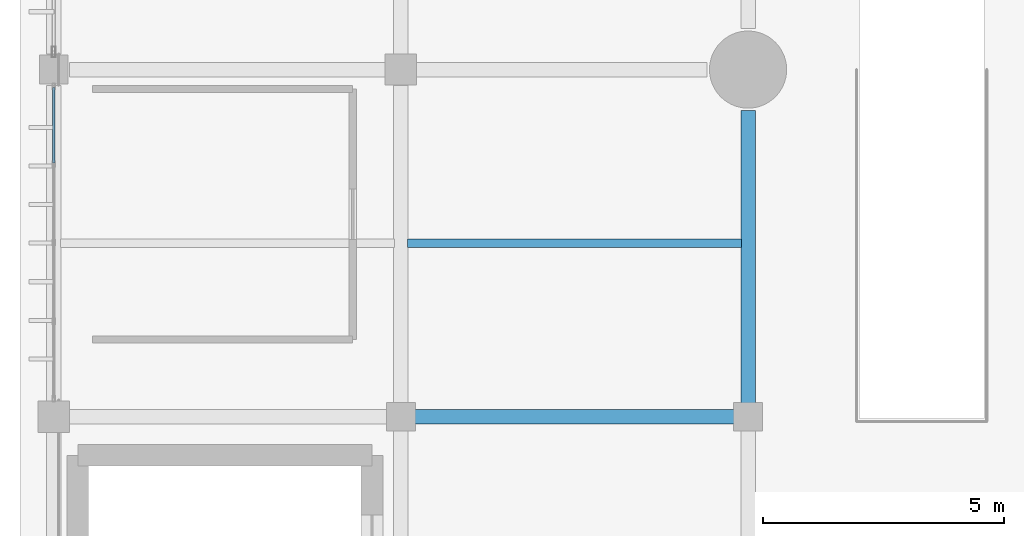
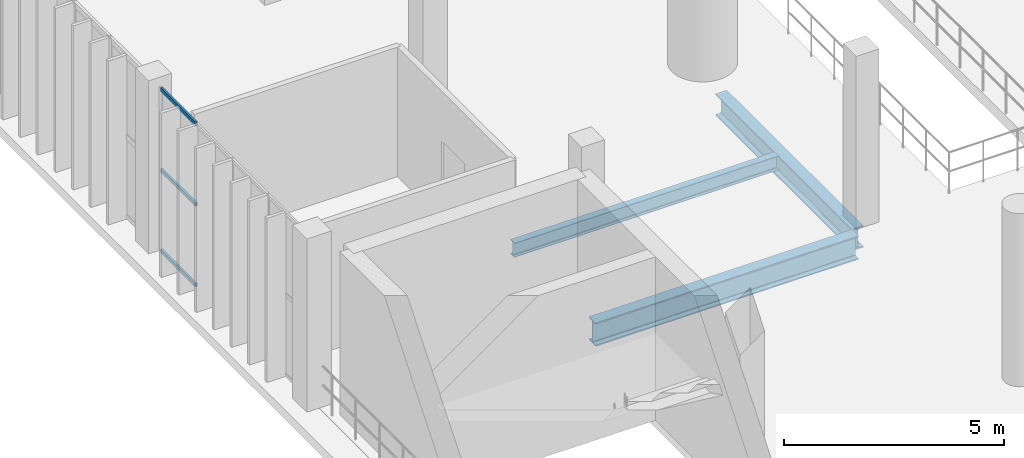
# One storey, part 16 of 105: 3 beams, 3 members, 1 element without a shape of its own.
"""IFC4 building model written with IfcOpenShell, lengths in metres."""

import ifcopenshell
import ifcopenshell.guid

model = None  # the IFC model being written
_history = None  # IfcOwnerHistory: only IFC2X3 demands one
_inside = {}  # id of a spatial element -> (the spatial element, [elements in it])
_under = {}  # id of a project, library or spatial element -> (it, [spatial elements below it])
_declared = {}  # id of a project -> (the project, [libraries it declares])
_typed = {}  # id of a type object -> (the type object, [elements of that type])
_made_of = {}  # id of a material, layer set ... -> (it, [elements and type objects made of it])


def new_model(schema):
    """Start an empty IFC model of exactly this schema.

    Asked for "IFC4X3", IfcOpenShell would pick the latest addendum, in which some entities
    have other attributes; the version numbers below select the first issue.
    IFC2X3 requires an IfcOwnerHistory on every rooted entity: one is made here for all.
    """
    global model, _history
    if schema == "IFC4X3":
        model = ifcopenshell.file(schema_version=(4, 3, 0, 0))
    else:
        model = ifcopenshell.file(schema=schema)
    _inside.clear()
    _under.clear()
    _declared.clear()
    _typed.clear()
    _made_of.clear()
    _history = None
    if model.schema == "IFC2X3":
        org = make("IfcOrganization", Name="unknown")
        user = make(
            "IfcPersonAndOrganization",
            ThePerson=make("IfcPerson", FamilyName="unknown"),
            TheOrganization=org,
        )
        app = make(
            "IfcApplication",
            ApplicationDeveloper=org,
            Version="unknown",
            ApplicationFullName="unknown",
            ApplicationIdentifier="unknown",
        )
        _history = make(
            "IfcOwnerHistory",
            OwningUser=user,
            OwningApplication=app,
            ChangeAction="ADDED",
            CreationDate=0,
        )
    return model


def make(cls, **values):
    """One entity of the class cls with the attributes given. An attribute that is None is left unset."""
    return model.create_entity(
        cls, **{name: value for name, value in values.items() if value is not None}
    )


def rooted(cls, **values):
    """An entity with a GlobalId (a new one), such as an element, a storey or a relation."""
    return make(cls, GlobalId=ifcopenshell.guid.new(), OwnerHistory=_history, **values)


def si_unit(unit_type, name, prefix=None):
    """IfcSIUnit, for example si_unit("LENGTHUNIT", "METRE", prefix="MILLI")."""
    return make("IfcSIUnit", UnitType=unit_type, Prefix=prefix, Name=name)


def assignment(units):
    """IfcUnitAssignment: the units of a project."""
    return None if units is None else make("IfcUnitAssignment", Units=units)


def point(xyz):
    """IfcCartesianPoint."""
    return None if xyz is None else make("IfcCartesianPoint", Coordinates=xyz)


def direction(xyz):
    """IfcDirection."""
    return None if xyz is None else make("IfcDirection", DirectionRatios=xyz)


def frame(location, z_axis=None, x_axis=None):
    """IfcAxis2Placement3D, a coordinate frame: its origin and axes. An axis left out is left unset."""
    return make(
        "IfcAxis2Placement3D",
        Location=point(location),
        Axis=direction(z_axis),
        RefDirection=direction(x_axis),
    )


def frame_2d(location, x_axis=None):
    """IfcAxis2Placement2D, a coordinate frame in the plane: its origin and x axis."""
    return make(
        "IfcAxis2Placement2D", Location=point(location), RefDirection=direction(x_axis)
    )


def origin():
    """The frame at (0, 0, 0) with its axes left unset."""
    return frame((0.0, 0.0, 0.0))


def origin_2d():
    """The frame at (0, 0) in the plane with its x axis left unset."""
    return frame_2d((0.0, 0.0))


def place(relative_to, where):
    """IfcLocalPlacement: puts the frame where relative to a parent placement (None: the world)."""
    return make(
        "IfcLocalPlacement", PlacementRelTo=relative_to, RelativePlacement=where
    )


def context(
    kind, dimensions, precision=None, world=None, true_north=None, identifier=None
):
    """IfcGeometricRepresentationContext, for example the 3D "Model" context."""
    return make(
        "IfcGeometricRepresentationContext",
        ContextIdentifier=identifier,
        ContextType=kind,
        CoordinateSpaceDimension=dimensions,
        Precision=precision,
        WorldCoordinateSystem=world,
        TrueNorth=true_north,
    )


def subcontext(parent, identifier, kind, view, scale=None):
    """IfcGeometricRepresentationSubContext, for example "Body" below "Model"."""
    return make(
        "IfcGeometricRepresentationSubContext",
        ContextIdentifier=identifier,
        ContextType=kind,
        ParentContext=parent,
        TargetScale=scale,
        TargetView=view,
    )


def project(units=None, contexts=None):
    """IfcProject with its units and contexts."""
    return rooted(
        "IfcProject",
        Name="project",
        RepresentationContexts=contexts,
        UnitsInContext=assignment(units),
    )


def spatial(cls, under=None, at=None, **own):
    """A site, building, storey or space (cls), placed at a placement, below another one or the project."""
    s = rooted(cls, ObjectPlacement=at, **own)
    if under is not None:
        _under.setdefault(under.id(), (under, []))[1].append(s)
    return s


def profile(cls, at=None, kind="AREA", **sizes):
    """A parametric profile (cls). Its sizes go by their IFC names, for example OverallWidth=200.0."""
    return make(cls, ProfileType=kind, Position=at, **sizes)


def hollow_rectangle(**sizes):
    """IfcRectangleHollowProfileDef."""
    return profile("IfcRectangleHollowProfileDef", **sizes)


def i_section(**sizes):
    """IfcIShapeProfileDef."""
    return profile("IfcIShapeProfileDef", **sizes)


def extrude(swept, where, along, depth):
    """IfcExtrudedAreaSolid: the profile swept, set in the frame where, extruded along a direction by depth."""
    return make(
        "IfcExtrudedAreaSolid",
        SweptArea=swept,
        Position=where,
        ExtrudedDirection=direction(along),
        Depth=depth,
    )


def shape(context_of_items, identifier, shape_type, items):
    """IfcShapeRepresentation: the items that make up one representation, for example the "Body"."""
    return make(
        "IfcShapeRepresentation",
        ContextOfItems=context_of_items,
        RepresentationIdentifier=identifier,
        RepresentationType=shape_type,
        Items=items,
    )


def material(Name=None, Category=None):
    """IfcMaterial."""
    return make("IfcMaterial", Name=Name, Category=Category)


def material_profile(
    of_material, cross_section, Name=None, Category=None, Priority=None
):
    """IfcMaterialProfile: a cross section and its material."""
    return make(
        "IfcMaterialProfile",
        Name=Name,
        Material=of_material,
        Profile=cross_section,
        Priority=Priority,
        Category=Category,
    )


def profile_set(profiles, Name=None, composite=None):
    """IfcMaterialProfileSet."""
    return make(
        "IfcMaterialProfileSet",
        Name=Name,
        MaterialProfiles=profiles,
        CompositeProfile=composite,
    )


def made_of(thing, what):
    """Note that an element or type object is made of a material, layer set ...; save() writes the relation."""
    if what is not None:
        _made_of.setdefault(what.id(), (what, []))[1].append(thing)
    return thing


def type_object(cls, material=None, **own):
    """A type object (cls), such as IfcWallType, which elements share."""
    return made_of(rooted(cls, **own), material)


def element(
    cls,
    number,
    at=None,
    inside=None,
    cuts=None,
    type_object=None,
    material=None,
    context=None,
    identifier="Body",
    shape_type=None,
    held_by="IfcProductDefinitionShape",
    body=None,
    shapes=None,
    **own,
):
    """One element of the class cls, such as IfcWall. Its Tag is "e" and its number.

    at: its placement. inside: the storey or other place that contains it. cuts: it is an
    opening in that element (IfcRelVoidsElement). A single representation is given by context,
    identifier, shape_type and body (its items); several are given by shapes. held_by: the class
    of the entity that holds the representations. save() writes the other relations.
    """
    e = rooted(cls, Tag="e%d" % number, ObjectPlacement=at, **own)
    if body is not None:
        shapes = [shape(context, identifier, shape_type, body)]
    if shapes is not None:
        e.Representation = make(held_by, Representations=shapes)
    if inside is not None:
        _inside.setdefault(inside.id(), (inside, []))[1].append(e)
    if cuts is not None:
        rooted(
            "IfcRelVoidsElement", RelatingBuildingElement=cuts, RelatedOpeningElement=e
        )
    if type_object is not None:
        _typed.setdefault(type_object.id(), (type_object, []))[1].append(e)
    return made_of(e, material)


def aggregate(whole, parts):
    """IfcRelAggregates: a whole, such as a stair, and the parts it consists of."""
    return rooted("IfcRelAggregates", RelatingObject=whole, RelatedObjects=parts)


def save(model, path):
    """Write the relations noted so far, then the file.

    IfcRelAggregates (storeys below a building ...), IfcRelContainedInSpatialStructure (elements
    in a storey), IfcRelDefinesByType, IfcRelAssociatesMaterial and IfcRelDeclares: one each for
    every whole, place, type object, material and project.
    """
    for whole, parts in _under.values():
        aggregate(whole, parts)
    for where, things in _inside.values():
        rooted(
            "IfcRelContainedInSpatialStructure",
            RelatedElements=things,
            RelatingStructure=where,
        )
    for kind, things in _typed.values():
        rooted("IfcRelDefinesByType", RelatedObjects=things, RelatingType=kind)
    for what, things in _made_of.values():
        rooted("IfcRelAssociatesMaterial", RelatedObjects=things, RelatingMaterial=what)
    for by, libraries in _declared.values():
        rooted("IfcRelDeclares", RelatingContext=by, RelatedDefinitions=libraries)
    model.write(path)


model = new_model("IFC4")

# Units and contexts
model_context = context("Model", 3, precision=1e-05, world=origin(), true_north=direction((0.0, 1.0)))
body_context = subcontext(model_context, "Body", "Model", "MODEL_VIEW")
ifc_project = project(units=[si_unit("LENGTHUNIT", "METRE"), si_unit("AREAUNIT", "SQUARE_METRE"), si_unit("VOLUMEUNIT", "CUBIC_METRE"), si_unit("PLANEANGLEUNIT", "RADIAN"), si_unit("MASSUNIT", "GRAM", prefix="KILO")], contexts=[model_context])

# Site, building, storey
site_placement = place(None, origin())
site = spatial("IfcSite", under=ifc_project, at=site_placement, CompositionType="ELEMENT")
building_placement = place(site_placement, origin())
building = spatial("IfcBuilding", under=site, at=building_placement, Name="Qandorah Velis Arena", CompositionType="ELEMENT")
storey_placement = place(building_placement, frame((0.0, 0.0, 13.800048828125)))
storey = spatial("IfcBuildingStorey", under=building, at=storey_placement, Name="L03", CompositionType="ELEMENT", Elevation=13.800048828125)

# Curtain wall, members
ifc_material_1 = material(Name="Solar-control low-E double glazing", Category="glass")
curtain_wall_type = type_object("IfcCurtainWallType", Name="ARC-CW-SYS24", PredefinedType="USERDEFINED", material=ifc_material_1)
curtain_wall_placement = place(storey_placement, origin())
curtain_wall = element("IfcCurtainWall", 1, at=curtain_wall_placement, inside=storey, type_object=curtain_wall_type, Name="Unitised curtain wall L03-024", ObjectType="UNITISED CURTAIN WALL", PredefinedType="USERDEFINED")
ifc_material_2 = material(Name="Champagne-bronze anodized aluminium 6063-T6", Category="aluminium")
ifc_material_profile_1 = material_profile(ifc_material_2, hollow_rectangle(XDim=0.054931640625, YDim=0.10009765625, WallThickness=0.0029296875, at=origin_2d()), Name="ALU TRANSOM 55x100")
ifc_profile_set_1 = profile_set([ifc_material_profile_1], Name="Champagne-bronze anodized aluminium 6063-T6")
member_type = type_object("IfcMemberType", Name="ARC-CWT-100", PredefinedType="USERDEFINED", material=ifc_profile_set_1)
member_1_placement = place(storey_placement, frame((0.0, 55.6591796875, 0.02734375), z_axis=(0.0, 1.0, 0.0), x_axis=(-1.0, 0.0, 0.0)))
member_1 = element("IfcMember", 2, at=member_1_placement, type_object=member_type, Name="CW24 transom 4.1", ObjectType="TRANSOM", PredefinedType="USERDEFINED", context=body_context, shape_type="SweptSolid", body=[
    extrude(hollow_rectangle(XDim=0.054931640625, YDim=0.10009765625, WallThickness=0.0029296875, at=origin_2d()), origin(), (0.0, 0.0, 1.0), 1.57275390625),
])
member_2_placement = place(storey_placement, frame((0.0, 55.6591796875, 2.264892578125), z_axis=(0.0, 1.0, 0.0), x_axis=(-1.0, 0.0, 0.0)))
member_2 = element("IfcMember", 3, at=member_2_placement, type_object=member_type, Name="CW24 transom 4.2", ObjectType="TRANSOM", PredefinedType="USERDEFINED", context=body_context, shape_type="SweptSolid", body=[
    extrude(hollow_rectangle(XDim=0.054931640625, YDim=0.10009765625, WallThickness=0.0029296875, at=origin_2d()), origin(), (0.0, 0.0, 1.0), 1.57275390625),
])
member_3_placement = place(storey_placement, frame((0.0, 55.6591796875, 4.50244140625), z_axis=(0.0, 1.0, 0.0), x_axis=(-1.0, 0.0, 0.0)))
member_3 = element("IfcMember", 4, at=member_3_placement, type_object=member_type, Name="CW24 transom 4.3", ObjectType="TRANSOM", PredefinedType="USERDEFINED", context=body_context, shape_type="SweptSolid", body=[
    extrude(hollow_rectangle(XDim=0.054931640625, YDim=0.10009765625, WallThickness=0.0029296875, at=origin_2d()), origin(), (0.0, 0.0, 1.0), 1.57275390625),
])
aggregate(curtain_wall, [member_1, member_2, member_3])

# Beams
ifc_material_3 = material(Name="Steel S355", Category="steel")
ifc_material_profile_2 = material_profile(ifc_material_3, i_section(OverallWidth=0.300048828125, OverallDepth=0.60009765625, WebThickness=0.015380859375, FlangeThickness=0.030029296875, FilletRadius=0.027099609375, at=origin_2d()), Name="HEB 600")
ifc_profile_set_2 = profile_set([ifc_material_profile_2], Name="Steel S355")
beam_type_1 = type_object("IfcBeamType", Name="STR-BM-HEB600", PredefinedType="BEAM", material=ifc_profile_set_2)
beam_1_placement = place(storey_placement, frame((14.39990234375, 50.550048828125, -0.6201171875), z_axis=(0.0, 1.0, 0.0), x_axis=(-1.0, 0.0, 0.0)))
element("IfcBeam", 5, at=beam_1_placement, inside=storey, type_object=beam_type_1, Name="Primary floor girder L03 Y-211", PredefinedType="BEAM", context=body_context, shape_type="SweptSolid", body=[
    extrude(i_section(OverallWidth=0.300048828125, OverallDepth=0.60009765625, WebThickness=0.015380859375, FlangeThickness=0.030029296875, FilletRadius=0.027099609375, at=origin_2d()), origin(), (0.0, 0.0, 1.0), 6.199951171875),
])
ifc_material_profile_3 = material_profile(ifc_material_3, i_section(OverallWidth=0.300048828125, OverallDepth=0.64990234375, WebThickness=0.01611328125, FlangeThickness=0.031005859375, FilletRadius=0.027099609375, at=origin_2d()), Name="HEB 650")
ifc_profile_set_3 = profile_set([ifc_material_profile_3], Name="Steel S355")
beam_type_2 = type_object("IfcBeamType", Name="STR-BM-HEB650", PredefinedType="BEAM", material=ifc_profile_set_3)
beam_2_placement = place(storey_placement, frame((7.35009765625, 50.39990234375, -0.64501953125), z_axis=(1.0, 0.0, 0.0), x_axis=(0.0, 1.0, 0.0)))
element("IfcBeam", 6, at=beam_2_placement, inside=storey, type_object=beam_type_2, Name="Primary floor girder L03 X-076", PredefinedType="BEAM", context=body_context, shape_type="SweptSolid", body=[
    extrude(i_section(OverallWidth=0.300048828125, OverallDepth=0.64990234375, WebThickness=0.01611328125, FlangeThickness=0.031005859375, FilletRadius=0.027099609375, at=origin_2d()), origin(), (0.0, 0.0, 1.0), 6.89990234375),
])
ifc_material_profile_4 = material_profile(ifc_material_3, i_section(OverallWidth=0.179931640625, OverallDepth=0.39990234375, WebThickness=0.008544921875, FlangeThickness=0.013427734375, FilletRadius=0.02099609375, at=origin_2d()), Name="IPE 400")
ifc_profile_set_4 = profile_set([ifc_material_profile_4], Name="Steel S355")
beam_type_3 = type_object("IfcBeamType", Name="STR-JST-IPE400", PredefinedType="JOIST", material=ifc_profile_set_4)
beam_3_placement = place(storey_placement, frame((7.3349609375, 54.0, -0.52001953125), z_axis=(1.0, 0.0, 0.0), x_axis=(0.0, 1.0, 0.0)))
element("IfcBeam", 7, at=beam_3_placement, inside=storey, type_object=beam_type_3, Name="Secondary floor joist L03-016", PredefinedType="JOIST", context=body_context, shape_type="SweptSolid", body=[
    extrude(i_section(OverallWidth=0.179931640625, OverallDepth=0.39990234375, WebThickness=0.008544921875, FlangeThickness=0.013427734375, FilletRadius=0.02099609375, at=origin_2d()), origin(), (0.0, 0.0, 1.0), 6.929931640625),
])

save(model, "model.ifc")
